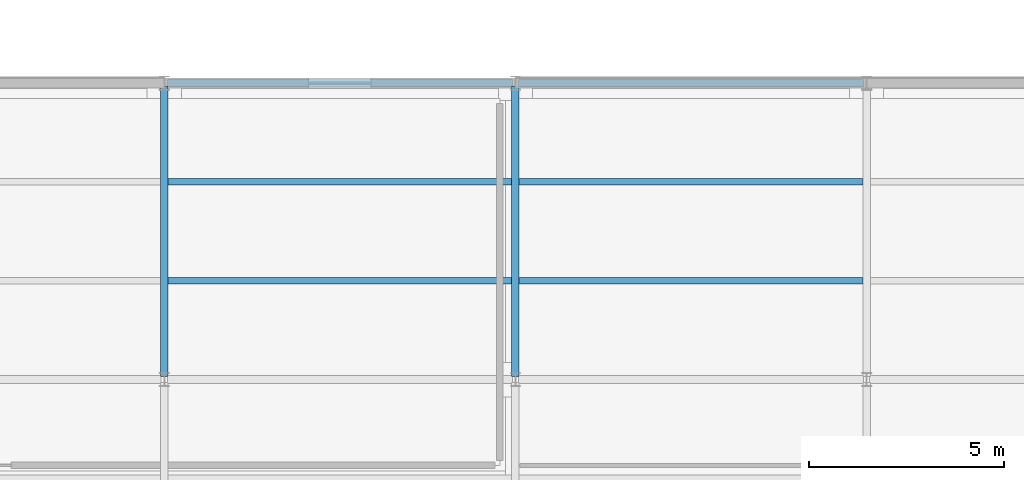
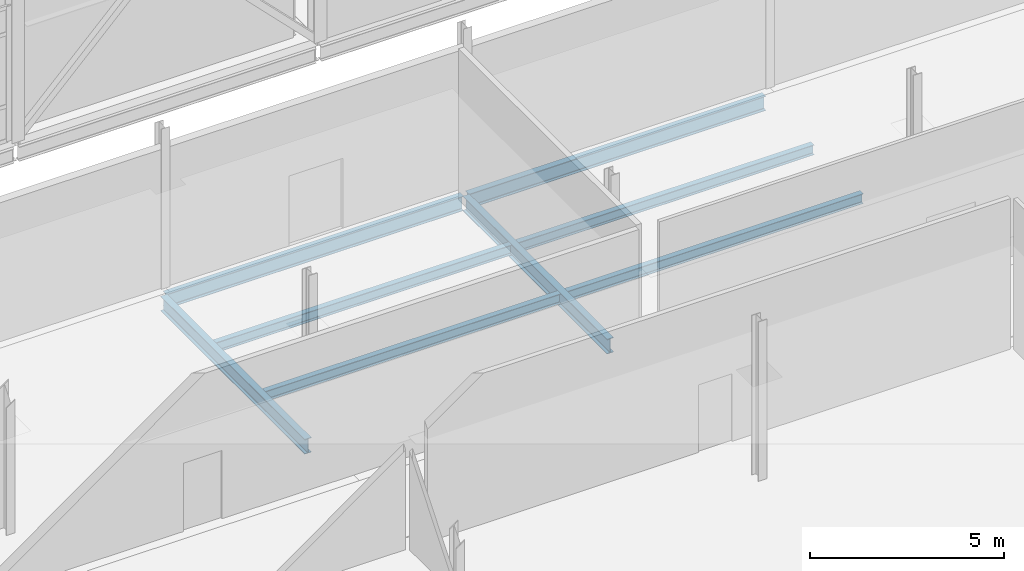
# One storey, part 33 of 161: 8 beams.
"""IFC4 building model written with IfcOpenShell, lengths in metres."""

from ifc_helpers import new_model, si_unit, direction, frame, origin, origin_2d, place, context, subcontext, project, spatial, i_section, extrude, material, material_profile, profile_set, type_object, element, save


model = new_model("IFC4")

# Units and contexts
model_context = context("Model", 3, precision=1e-05, world=origin(), true_north=direction((0.0, 1.0)))
body_context = subcontext(model_context, "Body", "Model", "MODEL_VIEW")
ifc_project = project(units=[si_unit("LENGTHUNIT", "METRE"), si_unit("AREAUNIT", "SQUARE_METRE"), si_unit("VOLUMEUNIT", "CUBIC_METRE"), si_unit("PLANEANGLEUNIT", "RADIAN"), si_unit("MASSUNIT", "GRAM", prefix="KILO")], contexts=[model_context])

# Site, building, storey
site_placement = place(None, origin())
site = spatial("IfcSite", under=ifc_project, at=site_placement, CompositionType="ELEMENT")
building_placement = place(site_placement, origin())
building = spatial("IfcBuilding", under=site, at=building_placement, Name="Caisbarro Railhouse Central Library", CompositionType="ELEMENT")
storey_placement = place(building_placement, origin())
storey = spatial("IfcBuildingStorey", under=building, at=storey_placement, Name="L00", CompositionType="ELEMENT", Elevation=0.0)

# Beams
ifc_material = material(Name="Steel ASTM A572 Grade 50", Category="steel")
ifc_material_profile_1 = material_profile(ifc_material, i_section(OverallWidth=0.194091796875, OverallDepth=0.468994140625, WebThickness=0.0126953125, FlangeThickness=0.0205078125, FilletRadius=0.01806640625, at=origin_2d()), Name="W460X106.0")
ifc_profile_set_1 = profile_set([ifc_material_profile_1], Name="Steel ASTM A572 Grade 50")
beam_type_1 = type_object("IfcBeamType", Name="BM-G07", PredefinedType="BEAM", material=ifc_profile_set_1)
for number, where, z_axis, x_axis, name in (
    (1, (18.0, 15.280029296875, -0.514404296875), (0.0, 1.0, 0.0), (-1.0, 0.0, 0.0), "G07 beam L00 #101"),
    (2, (27.0, 15.280029296875, -0.514404296875), (0.0, 1.0, 0.0), (-1.0, 0.0, 0.0), "G07 beam L00 #104"),
):
    element("IfcBeam", number, at=place(storey_placement, frame(where, z_axis=z_axis, x_axis=x_axis)), inside=storey, type_object=beam_type_1, Name=name, PredefinedType="BEAM", context=body_context, shape_type="SweptSolid", body=[
        extrude(i_section(OverallWidth=0.194091796875, OverallDepth=0.468994140625, WebThickness=0.0126953125, FlangeThickness=0.0205078125, FilletRadius=0.01806640625, at=origin_2d()), origin(), (0.0, 0.0, 1.0), 7.43994140625),
    ])
ifc_material_profile_2 = material_profile(ifc_material, i_section(OverallWidth=0.1669921875, OverallDepth=0.31689453125, WebThickness=0.007568359375, FlangeThickness=0.01318359375, FilletRadius=0.011962890625, at=origin_2d()), Name="W310X52.0")
ifc_profile_set_2 = profile_set([ifc_material_profile_2], Name="Steel ASTM A572 Grade 50")
beam_type_2 = type_object("IfcBeamType", Name="BM-J02", PredefinedType="JOIST", material=ifc_profile_set_2)
for number, where, z_axis, x_axis, name in (
    (3, (18.096923828125, 17.7333984375, -0.4384765625), (1.0, 0.0, 0.0), (0.0, 1.0, 0.0), "J02 beam L00 #130"),
    (4, (18.096923828125, 20.2666015625, -0.4384765625), (1.0, 0.0, 0.0), (0.0, 1.0, 0.0), "J02 beam L00 #131"),
    (5, (27.096923828125, 17.7333984375, -0.4384765625), (1.0, 0.0, 0.0), (0.0, 1.0, 0.0), "J02 beam L00 #136"),
    (6, (27.096923828125, 20.2666015625, -0.4384765625), (1.0, 0.0, 0.0), (0.0, 1.0, 0.0), "J02 beam L00 #137"),
):
    element("IfcBeam", number, at=place(storey_placement, frame(where, z_axis=z_axis, x_axis=x_axis)), inside=storey, type_object=beam_type_2, Name=name, PredefinedType="JOIST", context=body_context, shape_type="SweptSolid", body=[
        extrude(i_section(OverallWidth=0.1669921875, OverallDepth=0.31689453125, WebThickness=0.007568359375, FlangeThickness=0.01318359375, FilletRadius=0.011962890625, at=origin_2d()), origin(), (0.0, 0.0, 1.0), 8.80615234375),
    ])
ifc_material_profile_3 = material_profile(ifc_material, i_section(OverallWidth=0.18994140625, OverallDepth=0.45703125, WebThickness=0.009033203125, FlangeThickness=0.014404296875, FilletRadius=0.01806640625, at=origin_2d()), Name="W460X74.0")
ifc_profile_set_3 = profile_set([ifc_material_profile_3], Name="Steel ASTM A572 Grade 50")
beam_type_3 = type_object("IfcBeamType", Name="BM-SP01", PredefinedType="SPANDREL", material=ifc_profile_set_3)
for number, where, z_axis, x_axis, name in (
    (7, (18.080078125, 22.800048828125, -0.508544921875), (1.0, 0.0, 0.0), (0.0, 1.0, 0.0), "SP01 beam L00 #89"),
    (8, (27.080078125, 22.800048828125, -0.508544921875), (1.0, 0.0, 0.0), (0.0, 1.0, 0.0), "SP01 beam L00 #90"),
):
    element("IfcBeam", number, at=place(storey_placement, frame(where, z_axis=z_axis, x_axis=x_axis)), inside=storey, type_object=beam_type_3, Name=name, PredefinedType="SPANDREL", context=body_context, shape_type="SweptSolid", body=[
        extrude(i_section(OverallWidth=0.18994140625, OverallDepth=0.45703125, WebThickness=0.009033203125, FlangeThickness=0.014404296875, FilletRadius=0.01806640625, at=origin_2d()), origin(), (0.0, 0.0, 1.0), 8.83984375),
    ])

save(model, "model.ifc")
